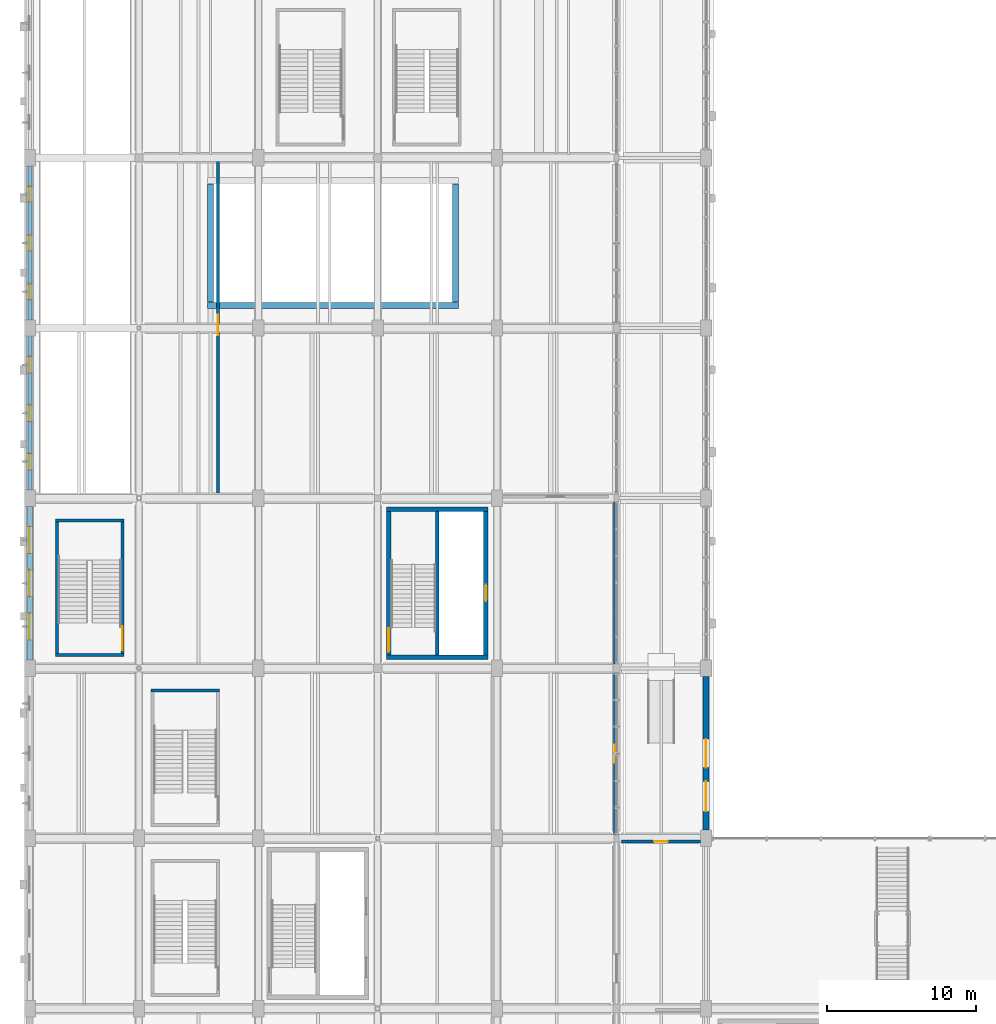
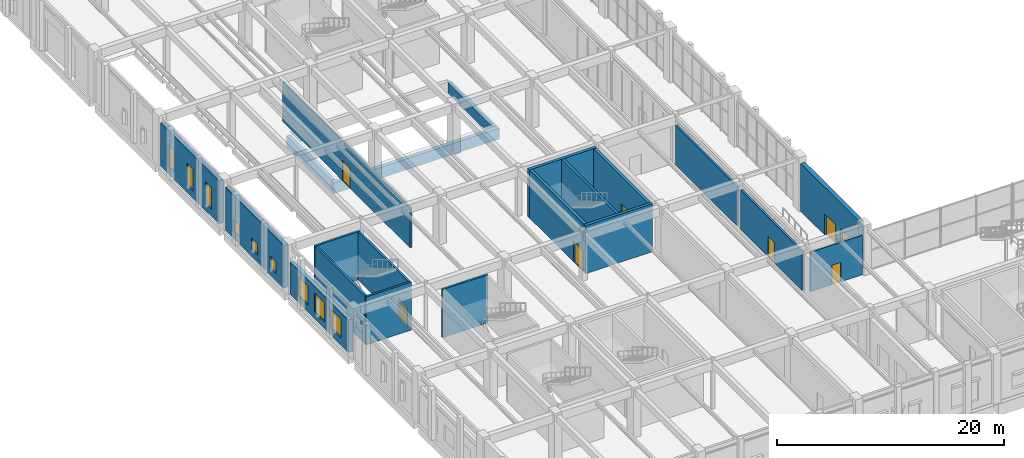
# One storey, part 84 of 113: 21 walls, 9 windows, 8 doors, 17 openings.
"""IFC4 building model written with IfcOpenShell, lengths in metres."""

from ifc_helpers import new_model, si_unit, direction, frame, frame_2d, origin, place, context, subcontext, project, spatial, rectangle, extrude, material, layer, layer_set, type_object, element, fill, save


model = new_model("IFC4")

# Units and contexts
model_context = context("Model", 3, precision=1e-05, world=origin(), true_north=direction((0.0, 1.0)))
body_context = subcontext(model_context, "Body", "Model", "MODEL_VIEW")
ifc_project = project(units=[si_unit("LENGTHUNIT", "METRE"), si_unit("AREAUNIT", "SQUARE_METRE"), si_unit("VOLUMEUNIT", "CUBIC_METRE"), si_unit("PLANEANGLEUNIT", "RADIAN"), si_unit("MASSUNIT", "GRAM", prefix="KILO"), si_unit("POWERUNIT", "WATT"), si_unit("THERMODYNAMICTEMPERATUREUNIT", "KELVIN")], contexts=[model_context])

# Site, building, storey
site_placement = place(None, origin())
site = spatial("IfcSite", under=ifc_project, at=site_placement, CompositionType="ELEMENT")
building_placement = place(site_placement, origin())
building = spatial("IfcBuilding", under=site, at=building_placement, Name="Kelmbourne Parkland Aquatics Centre", CompositionType="ELEMENT")
storey_placement = place(building_placement, origin())
storey = spatial("IfcBuildingStorey", under=building, at=storey_placement, Name="L00", CompositionType="ELEMENT", Elevation=0.0)

# Walls
ifc_material_1 = material(Name="Concrete C40/50", Category="concrete")
ifc_layer_1 = layer(ifc_material_1, 0.25)
ifc_layer_set_1 = layer_set([ifc_layer_1], Name="Concrete C40/50")
wall_type_1 = type_object("IfcWallType", Name="W-CORE-250", PredefinedType="SHEAR", material=ifc_layer_set_1)
wall_1_placement = place(storey_placement, frame((28.0, 35.89990234375, 0.0), z_axis=(0.0, 0.0, 1.0), x_axis=(0.0, 1.0, 0.0)))
element("IfcWall", 1, at=wall_1_placement, inside=storey, type_object=wall_type_1, Name="West Wing North Passenger Core divider wall (L00)", PredefinedType="SHEAR", context=body_context, shape_type="SweptSolid", body=[
    extrude(rectangle(XDim=9.60009765625, YDim=0.25, at=frame_2d((4.800048828125, 0.0))), origin(), (0.0, 0.0, 1.0), 5.159912109375),
])
ifc_layer_2 = layer(ifc_material_1, 0.300048828125)
ifc_layer_set_2 = layer_set([ifc_layer_2], Name="Concrete C40/50")
wall_type_2 = type_object("IfcWallType", Name="W-CORE-300", PredefinedType="SHEAR", material=ifc_layer_set_2)
for number, where, z_axis, x_axis, name in (
    (2, (24.60009765625, 35.75, 0.0), (0.0, 0.0, 1.0), (1.0, 0.0, 0.0), "West Wing North Passenger Core south wall (L00)"),
    (3, (24.60009765625, 45.64990234375, 0.0), (0.0, 0.0, 1.0), (1.0, 0.0, 0.0), "West Wing North Passenger Core north wall (L00)"),
):
    element("IfcWall", number, at=place(storey_placement, frame(where, z_axis=z_axis, x_axis=x_axis)), inside=storey, type_object=wall_type_2, Name=name, PredefinedType="SHEAR", context=body_context, shape_type="SweptSolid", body=[
        extrude(rectangle(XDim=6.7998046875, YDim=0.300048828125, at=frame_2d((3.39990234375, 0.0))), origin(), (0.0, 0.0, 1.0), 5.159912109375),
    ])

# Wall, opening, door
wall_2_placement = place(storey_placement, frame((24.75, 35.89990234375, 0.0), z_axis=(0.0, 0.0, 1.0), x_axis=(0.0, 1.0, 0.0)))
wall_2 = element("IfcWall", 4, at=wall_2_placement, inside=storey, type_object=wall_type_2, Name="West Wing North Passenger Core west wall (L00)", PredefinedType="SHEAR", context=body_context, shape_type="SweptSolid", body=[
    extrude(rectangle(XDim=9.60009765625, YDim=0.300048828125, at=frame_2d((4.800048828125, 0.0))), origin(), (0.0, 0.0, 1.0), 5.159912109375),
])
opening_1_placement = place(wall_2_placement, frame((0.199951171875, 0.0, 0.0)))
opening_1 = element("IfcOpeningElement", 5, at=opening_1_placement, cuts=wall_2, Name="Opening FD02", PredefinedType="OPENING", context=body_context, shape_type="SweptSolid", body=[
    extrude(rectangle(XDim=1.60009765625, YDim=2.199951171875, at=frame_2d((0.800048828125, 1.10009765625))), frame((0.0, 0.162109375, 0.0), z_axis=(0.0, -1.0, 0.0), x_axis=(1.0, 0.0, 0.0)), (0.0, 0.0, 1.0), 0.323974609375),
])
ifc_material_2 = material(Name="Marine-grade stainless steel and fire-rated hardwood doorset", Category="steel")
ifc_layer_3 = layer(ifc_material_2, 0.050048828125)
ifc_layer_set_3 = layer_set([ifc_layer_3], Name="Marine-grade stainless steel and fire-rated hardwood doorset")
door_type_1 = type_object("IfcDoorType", Name="DR-FD-160", OperationType="NOTDEFINED", PredefinedType="DOOR", material=ifc_layer_set_3)
door_1_placement = place(opening_1_placement, origin())
door_1 = element("IfcDoor", 6, at=door_1_placement, inside=storey, type_object=door_type_1, Name="Fire stair door ST02 (L00)", OperationType="DOUBLE_DOOR_SINGLE_SWING", OverallHeight=2.199951171875, OverallWidth=1.60009765625, PredefinedType="DOOR", context=body_context, shape_type="SweptSolid", body=[
    extrude(rectangle(XDim=1.60009765625, YDim=2.199951171875, at=frame_2d((0.800048828125, 1.10009765625))), frame((0.0, 0.02490234375, 0.0), z_axis=(0.0, -1.0, 0.0), x_axis=(1.0, 0.0, 0.0)), (0.0, 0.0, 1.0), 0.050048828125),
])
fill(opening_1, door_1)

wall_3_placement = place(storey_placement, frame((31.25, 35.89990234375, 0.0), z_axis=(0.0, 0.0, 1.0), x_axis=(0.0, 1.0, 0.0)))
wall_3 = element("IfcWall", 7, at=wall_3_placement, inside=storey, type_object=wall_type_2, Name="West Wing North Passenger Core east wall (L00)", PredefinedType="SHEAR", context=body_context, shape_type="SweptSolid", body=[
    extrude(rectangle(XDim=9.60009765625, YDim=0.300048828125, at=frame_2d((4.800048828125, 0.0))), origin(), (0.0, 0.0, 1.0), 5.159912109375),
])
opening_2_placement = place(wall_3_placement, frame((3.60009765625, 0.0, 0.0)))
opening_2 = element("IfcOpeningElement", 8, at=opening_2_placement, cuts=wall_3, Name="Opening LD01", PredefinedType="OPENING", context=body_context, shape_type="SweptSolid", body=[
    extrude(rectangle(XDim=1.10009765625, YDim=2.199951171875, at=frame_2d((0.550048828125, 1.10009765625))), frame((0.0, 0.162109375, 0.0), z_axis=(0.0, -1.0, 0.0), x_axis=(1.0, 0.0, 0.0)), (0.0, 0.0, 1.0), 0.323974609375),
])
ifc_layer_4 = layer(ifc_material_2, 0.050048828125)
ifc_layer_set_4 = layer_set([ifc_layer_4], Name="Marine-grade stainless steel and fire-rated hardwood doorset")
door_type_2 = type_object("IfcDoorType", Name="DR-LD-110", OperationType="NOTDEFINED", PredefinedType="DOOR", material=ifc_layer_set_4)
door_2_placement = place(opening_2_placement, origin())
door_2 = element("IfcDoor", 9, at=door_2_placement, inside=storey, type_object=door_type_2, Name="Lift landing sliding door LF03 (L00)", OperationType="SLIDING_TO_LEFT", OverallHeight=2.199951171875, OverallWidth=1.10009765625, PredefinedType="DOOR", context=body_context, shape_type="SweptSolid", body=[
    extrude(rectangle(XDim=1.10009765625, YDim=2.199951171875, at=frame_2d((0.550048828125, 1.10009765625))), frame((0.0, 0.02490234375, 0.0), z_axis=(0.0, -1.0, 0.0), x_axis=(1.0, 0.0, 0.0)), (0.0, 0.0, 1.0), 0.050048828125),
])
fill(opening_2, door_2)

# Wall, openings, windows
ifc_material_3 = material(Name="Dark manganite base-course brickwork", Category="masonry")
ifc_layer_5 = layer(ifc_material_3, 0.429931640625)
ifc_layer_set_5 = layer_set([ifc_layer_5], Name="Dark manganite base-course brickwork")
wall_type_3 = type_object("IfcWallType", Name="W-EXT-430", PredefinedType="STANDARD", material=ifc_layer_set_5)
wall_4_placement = place(storey_placement, frame((0.699951171875, 35.552001953125, 0.0), z_axis=(0.0, 0.0, 1.0), x_axis=(0.0, 1.0, 0.0)))
wall_4 = element("IfcWall", 10, at=wall_4_placement, inside=storey, type_object=wall_type_3, Name="Exterior polychrome brick wall EW-L00-004", PredefinedType="STANDARD", context=body_context, shape_type="SweptSolid", body=[
    extrude(rectangle(XDim=10.2958984375, YDim=0.429931640625, at=frame_2d((5.14794921875, 0.0))), origin(), (0.0, 0.0, 1.0), 3.485107421875),
])
opening_3_placement = place(wall_4_placement, frame((1.35009765625, 0.0, 0.75)))
opening_3 = element("IfcOpeningElement", 11, at=opening_3_placement, cuts=wall_4, Name="Opening W10", PredefinedType="OPENING", context=body_context, shape_type="SweptSolid", body=[
    extrude(rectangle(XDim=1.800048828125, YDim=2.050048828125, at=frame_2d((0.89990234375, 1.02490234375))), frame((0.0, 0.22705078125, 0.0), z_axis=(0.0, -1.0, 0.0), x_axis=(1.0, 0.0, 0.0)), (0.0, 0.0, 1.0), 0.453857421875),
])
opening_4_placement = place(wall_4_placement, frame((4.248046875, 0.0, 0.75)))
opening_4 = element("IfcOpeningElement", 12, at=opening_4_placement, cuts=wall_4, Name="Opening W10", PredefinedType="OPENING", context=body_context, shape_type="SweptSolid", body=[
    extrude(rectangle(XDim=1.800048828125, YDim=2.050048828125, at=frame_2d((0.89990234375, 1.02490234375))), frame((0.0, 0.22705078125, 0.0), z_axis=(0.0, -1.0, 0.0), x_axis=(1.0, 0.0, 0.0)), (0.0, 0.0, 1.0), 0.453857421875),
])
opening_5_placement = place(wall_4_placement, frame((7.14599609375, 0.0, 0.75)))
opening_5 = element("IfcOpeningElement", 13, at=opening_5_placement, cuts=wall_4, Name="Opening W10", PredefinedType="OPENING", context=body_context, shape_type="SweptSolid", body=[
    extrude(rectangle(XDim=1.800048828125, YDim=2.050048828125, at=frame_2d((0.89990234375, 1.02490234375))), frame((0.0, 0.22705078125, 0.0), z_axis=(0.0, -1.0, 0.0), x_axis=(1.0, 0.0, 0.0)), (0.0, 0.0, 1.0), 0.453857421875),
])
ifc_material_4 = material(Name="Thermally broken anodised aluminium window with low-e glass", Category="aluminium")
ifc_layer_6 = layer(ifc_material_4, 0.090087890625)
ifc_layer_set_6 = layer_set([ifc_layer_6], Name="Thermally broken anodised aluminium window with low-e glass")
window_type_1 = type_object("IfcWindowType", Name="WN-10", PartitioningType="DOUBLE_PANEL_VERTICAL", PredefinedType="WINDOW", material=ifc_layer_set_6)
window_1_placement = place(opening_3_placement, origin())
window_1 = element("IfcWindow", 14, at=window_1_placement, inside=storey, type_object=window_type_1, Name="Deep-reveal masonry window W10", OverallHeight=2.050048828125, OverallWidth=1.800048828125, PartitioningType="DOUBLE_PANEL_VERTICAL", PredefinedType="WINDOW", context=body_context, shape_type="SweptSolid", body=[
    extrude(rectangle(XDim=1.800048828125, YDim=2.050048828125, at=frame_2d((0.89990234375, 1.02490234375))), frame((0.0, 0.080078125, 0.0), z_axis=(0.0, -1.0, 0.0), x_axis=(1.0, 0.0, 0.0)), (0.0, 0.0, 1.0), 0.06005859375),
])
fill(opening_3, window_1)
window_2_placement = place(opening_4_placement, origin())
window_2 = element("IfcWindow", 15, at=window_2_placement, inside=storey, type_object=window_type_1, Name="Deep-reveal masonry window W10", OverallHeight=2.050048828125, OverallWidth=1.800048828125, PartitioningType="DOUBLE_PANEL_VERTICAL", PredefinedType="WINDOW", context=body_context, shape_type="SweptSolid", body=[
    extrude(rectangle(XDim=1.800048828125, YDim=2.050048828125, at=frame_2d((0.89990234375, 1.02490234375))), frame((0.0, 0.080078125, 0.0), z_axis=(0.0, -1.0, 0.0), x_axis=(1.0, 0.0, 0.0)), (0.0, 0.0, 1.0), 0.06005859375),
])
fill(opening_4, window_2)
window_3_placement = place(opening_5_placement, origin())
window_3 = element("IfcWindow", 16, at=window_3_placement, inside=storey, type_object=window_type_1, Name="Deep-reveal masonry window W10", OverallHeight=2.050048828125, OverallWidth=1.800048828125, PartitioningType="DOUBLE_PANEL_VERTICAL", PredefinedType="WINDOW", context=body_context, shape_type="SweptSolid", body=[
    extrude(rectangle(XDim=1.800048828125, YDim=2.050048828125, at=frame_2d((0.89990234375, 1.02490234375))), frame((0.0, 0.080078125, 0.0), z_axis=(0.0, -1.0, 0.0), x_axis=(1.0, 0.0, 0.0)), (0.0, 0.0, 1.0), 0.06005859375),
])
fill(opening_5, window_3)

wall_5_placement = place(storey_placement, frame((0.699951171875, 46.951904296875, 0.0), z_axis=(0.0, 0.0, 1.0), x_axis=(0.0, 1.0, 0.0)))
wall_5 = element("IfcWall", 17, at=wall_5_placement, inside=storey, type_object=wall_type_3, Name="Exterior polychrome brick wall EW-L00-005", PredefinedType="STANDARD", context=body_context, shape_type="SweptSolid", body=[
    extrude(rectangle(XDim=10.296142578125, YDim=0.429931640625, at=frame_2d((5.14794921875, 0.0))), origin(), (0.0, 0.0, 1.0), 4.612060546875),
])
opening_6_placement = place(wall_5_placement, frame((1.35009765625, 0.0, 0.75)))
opening_6 = element("IfcOpeningElement", 18, at=opening_6_placement, cuts=wall_5, Name="Opening W13", PredefinedType="OPENING", context=body_context, shape_type="SweptSolid", body=[
    extrude(rectangle(XDim=1.10009765625, YDim=1.25, at=frame_2d((0.550048828125, 0.625))), frame((0.0, 0.22705078125, 0.0), z_axis=(0.0, -1.0, 0.0), x_axis=(1.0, 0.0, 0.0)), (0.0, 0.0, 1.0), 0.453857421875),
])
opening_7_placement = place(wall_5_placement, frame((4.597900390625, 0.0, 0.75)))
opening_7 = element("IfcOpeningElement", 19, at=opening_7_placement, cuts=wall_5, Name="Opening W13", PredefinedType="OPENING", context=body_context, shape_type="SweptSolid", body=[
    extrude(rectangle(XDim=1.10009765625, YDim=1.25, at=frame_2d((0.550048828125, 0.625))), frame((0.0, 0.22705078125, 0.0), z_axis=(0.0, -1.0, 0.0), x_axis=(1.0, 0.0, 0.0)), (0.0, 0.0, 1.0), 0.453857421875),
])
opening_8_placement = place(wall_5_placement, frame((7.845947265625, 0.0, 0.75)))
opening_8 = element("IfcOpeningElement", 20, at=opening_8_placement, cuts=wall_5, Name="Opening W13", PredefinedType="OPENING", context=body_context, shape_type="SweptSolid", body=[
    extrude(rectangle(XDim=1.10009765625, YDim=1.25, at=frame_2d((0.550048828125, 0.625))), frame((0.0, 0.22705078125, 0.0), z_axis=(0.0, -1.0, 0.0), x_axis=(1.0, 0.0, 0.0)), (0.0, 0.0, 1.0), 0.453857421875),
])
ifc_layer_7 = layer(ifc_material_4, 0.090087890625)
ifc_layer_set_7 = layer_set([ifc_layer_7], Name="Thermally broken anodised aluminium window with low-e glass")
window_type_2 = type_object("IfcWindowType", Name="WN-13", PartitioningType="SINGLE_PANEL", PredefinedType="WINDOW", material=ifc_layer_set_7)
window_4_placement = place(opening_6_placement, origin())
window_4 = element("IfcWindow", 21, at=window_4_placement, inside=storey, type_object=window_type_2, Name="Deep-reveal masonry window W13", OverallHeight=1.25, OverallWidth=1.10009765625, PartitioningType="SINGLE_PANEL", PredefinedType="WINDOW", context=body_context, shape_type="SweptSolid", body=[
    extrude(rectangle(XDim=1.10009765625, YDim=1.25, at=frame_2d((0.550048828125, 0.625))), frame((0.0, 0.080078125, 0.0), z_axis=(0.0, -1.0, 0.0), x_axis=(1.0, 0.0, 0.0)), (0.0, 0.0, 1.0), 0.06005859375),
])
fill(opening_6, window_4)
window_5_placement = place(opening_7_placement, origin())
window_5 = element("IfcWindow", 22, at=window_5_placement, inside=storey, type_object=window_type_2, Name="Deep-reveal masonry window W13", OverallHeight=1.25, OverallWidth=1.10009765625, PartitioningType="SINGLE_PANEL", PredefinedType="WINDOW", context=body_context, shape_type="SweptSolid", body=[
    extrude(rectangle(XDim=1.10009765625, YDim=1.25, at=frame_2d((0.550048828125, 0.625))), frame((0.0, 0.080078125, 0.0), z_axis=(0.0, -1.0, 0.0), x_axis=(1.0, 0.0, 0.0)), (0.0, 0.0, 1.0), 0.06005859375),
])
fill(opening_7, window_5)
window_6_placement = place(opening_8_placement, origin())
window_6 = element("IfcWindow", 23, at=window_6_placement, inside=storey, type_object=window_type_2, Name="Deep-reveal masonry window W13", OverallHeight=1.25, OverallWidth=1.10009765625, PartitioningType="SINGLE_PANEL", PredefinedType="WINDOW", context=body_context, shape_type="SweptSolid", body=[
    extrude(rectangle(XDim=1.10009765625, YDim=1.25, at=frame_2d((0.550048828125, 0.625))), frame((0.0, 0.080078125, 0.0), z_axis=(0.0, -1.0, 0.0), x_axis=(1.0, 0.0, 0.0)), (0.0, 0.0, 1.0), 0.06005859375),
])
fill(opening_8, window_6)

wall_6_placement = place(storey_placement, frame((0.699951171875, 58.35205078125, 0.0), z_axis=(0.0, 0.0, 1.0), x_axis=(0.0, 1.0, 0.0)))
wall_6 = element("IfcWall", 24, at=wall_6_placement, inside=storey, type_object=wall_type_3, Name="Exterior polychrome brick wall EW-L00-006", PredefinedType="STANDARD", context=body_context, shape_type="SweptSolid", body=[
    extrude(rectangle(XDim=10.2958984375, YDim=0.429931640625, at=frame_2d((5.14794921875, 0.0))), origin(), (0.0, 0.0, 1.0), 4.612060546875),
])
opening_9_placement = place(wall_6_placement, frame((1.35009765625, 0.0, 0.75)))
opening_9 = element("IfcOpeningElement", 25, at=opening_9_placement, cuts=wall_6, Name="Opening W17", PredefinedType="OPENING", context=body_context, shape_type="SweptSolid", body=[
    extrude(rectangle(XDim=1.050048828125, YDim=2.35009765625, at=frame_2d((0.52490234375, 1.175048828125))), frame((0.0, 0.22705078125, 0.0), z_axis=(0.0, -1.0, 0.0), x_axis=(1.0, 0.0, 0.0)), (0.0, 0.0, 1.0), 0.453857421875),
])
opening_10_placement = place(wall_6_placement, frame((4.623046875, 0.0, 0.75)))
opening_10 = element("IfcOpeningElement", 26, at=opening_10_placement, cuts=wall_6, Name="Opening W17", PredefinedType="OPENING", context=body_context, shape_type="SweptSolid", body=[
    extrude(rectangle(XDim=1.050048828125, YDim=2.35009765625, at=frame_2d((0.52490234375, 1.175048828125))), frame((0.0, 0.22705078125, 0.0), z_axis=(0.0, -1.0, 0.0), x_axis=(1.0, 0.0, 0.0)), (0.0, 0.0, 1.0), 0.453857421875),
])
opening_11_placement = place(wall_6_placement, frame((7.89599609375, 0.0, 0.75)))
opening_11 = element("IfcOpeningElement", 27, at=opening_11_placement, cuts=wall_6, Name="Opening W17", PredefinedType="OPENING", context=body_context, shape_type="SweptSolid", body=[
    extrude(rectangle(XDim=1.050048828125, YDim=2.35009765625, at=frame_2d((0.52490234375, 1.175048828125))), frame((0.0, 0.22705078125, 0.0), z_axis=(0.0, -1.0, 0.0), x_axis=(1.0, 0.0, 0.0)), (0.0, 0.0, 1.0), 0.453857421875),
])
ifc_layer_8 = layer(ifc_material_4, 0.090087890625)
ifc_layer_set_8 = layer_set([ifc_layer_8], Name="Thermally broken anodised aluminium window with low-e glass")
window_type_3 = type_object("IfcWindowType", Name="WN-17", PartitioningType="SINGLE_PANEL", PredefinedType="WINDOW", material=ifc_layer_set_8)
window_7_placement = place(opening_9_placement, origin())
window_7 = element("IfcWindow", 28, at=window_7_placement, inside=storey, type_object=window_type_3, Name="Deep-reveal masonry window W17", OverallHeight=2.35009765625, OverallWidth=1.050048828125, PartitioningType="SINGLE_PANEL", PredefinedType="WINDOW", context=body_context, shape_type="SweptSolid", body=[
    extrude(rectangle(XDim=1.050048828125, YDim=2.35009765625, at=frame_2d((0.52490234375, 1.175048828125))), frame((0.0, 0.080078125, 0.0), z_axis=(0.0, -1.0, 0.0), x_axis=(1.0, 0.0, 0.0)), (0.0, 0.0, 1.0), 0.06005859375),
])
fill(opening_9, window_7)
window_8_placement = place(opening_10_placement, origin())
window_8 = element("IfcWindow", 29, at=window_8_placement, inside=storey, type_object=window_type_3, Name="Deep-reveal masonry window W17", OverallHeight=2.35009765625, OverallWidth=1.050048828125, PartitioningType="SINGLE_PANEL", PredefinedType="WINDOW", context=body_context, shape_type="SweptSolid", body=[
    extrude(rectangle(XDim=1.050048828125, YDim=2.35009765625, at=frame_2d((0.52490234375, 1.175048828125))), frame((0.0, 0.080078125, 0.0), z_axis=(0.0, -1.0, 0.0), x_axis=(1.0, 0.0, 0.0)), (0.0, 0.0, 1.0), 0.06005859375),
])
fill(opening_10, window_8)
window_9_placement = place(opening_11_placement, origin())
window_9 = element("IfcWindow", 30, at=window_9_placement, inside=storey, type_object=window_type_3, Name="Deep-reveal masonry window W17", OverallHeight=2.35009765625, OverallWidth=1.050048828125, PartitioningType="SINGLE_PANEL", PredefinedType="WINDOW", context=body_context, shape_type="SweptSolid", body=[
    extrude(rectangle(XDim=1.050048828125, YDim=2.35009765625, at=frame_2d((0.52490234375, 1.175048828125))), frame((0.0, 0.080078125, 0.0), z_axis=(0.0, -1.0, 0.0), x_axis=(1.0, 0.0, 0.0)), (0.0, 0.0, 1.0), 0.06005859375),
])
fill(opening_11, window_9)

# Wall, openings, doors
wall_7_placement = place(storey_placement, frame((46.0, 24.152099609375, 0.0), z_axis=(0.0, 0.0, 1.0), x_axis=(0.0, 1.0, 0.0)))
wall_7 = element("IfcWall", 31, at=wall_7_placement, inside=storey, type_object=wall_type_3, Name="Exterior polychrome brick wall EW-L00-030", PredefinedType="STANDARD", context=body_context, shape_type="SweptSolid", body=[
    extrude(rectangle(XDim=10.2958984375, YDim=0.429931640625, at=frame_2d((5.14794921875, 0.0))), origin(), (0.0, 0.0, 1.0), 5.14990234375),
])
opening_12_placement = place(wall_7_placement, frame((1.26513671875, 0.0, 0.0)))
opening_12 = element("IfcOpeningElement", 32, at=opening_12_placement, cuts=wall_7, Name="Opening E07", PredefinedType="OPENING", context=body_context, shape_type="SweptSolid", body=[
    extrude(rectangle(XDim=2.0, YDim=2.35009765625, at=frame_2d((1.0, 1.175048828125))), frame((0.0, 0.22705078125, 0.0), z_axis=(0.0, -1.0, 0.0), x_axis=(1.0, 0.0, 0.0)), (0.0, 0.0, 1.0), 0.453857421875),
])
opening_13_placement = place(wall_7_placement, frame((4.197998046875, 0.0, 0.0)))
opening_13 = element("IfcOpeningElement", 33, at=opening_13_placement, cuts=wall_7, Name="Opening E08", PredefinedType="OPENING", context=body_context, shape_type="SweptSolid", body=[
    extrude(rectangle(XDim=1.89990234375, YDim=2.300048828125, at=frame_2d((0.949951171875, 1.14990234375))), frame((0.0, 0.22705078125, 0.0), z_axis=(0.0, -1.0, 0.0), x_axis=(1.0, 0.0, 0.0)), (0.0, 0.0, 1.0), 0.453857421875),
])
ifc_material_5 = material(Name="Thermally broken anodised aluminium commercial door", Category="aluminium")
ifc_layer_9 = layer(ifc_material_5, 0.06005859375)
ifc_layer_set_9 = layer_set([ifc_layer_9], Name="Thermally broken anodised aluminium commercial door")
door_type_3 = type_object("IfcDoorType", Name="DR-EXT-190", OperationType="NOTDEFINED", PredefinedType="DOOR", material=ifc_layer_set_9)
door_3_placement = place(opening_13_placement, frame((1.89990234375, 0.0, 0.0), z_axis=(0.0, 0.0, 1.0), x_axis=(-1.0, 0.0, 0.0)))
door_3 = element("IfcDoor", 34, at=door_3_placement, inside=storey, type_object=door_type_3, Name="Final exit double door E08", OperationType="DOUBLE_DOOR_SINGLE_SWING", OverallHeight=2.300048828125, OverallWidth=1.89990234375, PredefinedType="DOOR", context=body_context, shape_type="SweptSolid", body=[
    extrude(rectangle(XDim=1.89990234375, YDim=2.300048828125, at=frame_2d((0.949951171875, 1.14990234375))), frame((0.0, 0.02490234375, 0.0), z_axis=(0.0, -1.0, 0.0), x_axis=(1.0, 0.0, 0.0)), (0.0, 0.0, 1.0), 0.050048828125),
])
fill(opening_13, door_3)
ifc_layer_10 = layer(ifc_material_5, 0.06005859375)
ifc_layer_set_10 = layer_set([ifc_layer_10], Name="Thermally broken anodised aluminium commercial door")
door_type_4 = type_object("IfcDoorType", Name="DR-EXT-200", OperationType="NOTDEFINED", PredefinedType="DOOR", material=ifc_layer_set_10)
door_4_placement = place(opening_12_placement, frame((2.0, 0.0, 0.0), z_axis=(0.0, 0.0, 1.0), x_axis=(-1.0, 0.0, 0.0)))
door_4 = element("IfcDoor", 35, at=door_4_placement, inside=storey, type_object=door_type_4, Name="Final exit double door E07", OperationType="DOUBLE_DOOR_SINGLE_SWING", OverallHeight=2.35009765625, OverallWidth=2.0, PredefinedType="DOOR", context=body_context, shape_type="SweptSolid", body=[
    extrude(rectangle(XDim=2.0, YDim=2.35009765625, at=frame_2d((1.0, 1.175048828125))), frame((0.0, 0.02490234375, 0.0), z_axis=(0.0, -1.0, 0.0), x_axis=(1.0, 0.0, 0.0)), (0.0, 0.0, 1.0), 0.050048828125),
])
fill(opening_12, door_4)

# Walls
ifc_material_6 = material(Name="Concrete blockwork C32/40", Category="masonry")
ifc_layer_11 = layer(ifc_material_6, 0.199951171875)
ifc_layer_set_11 = layer_set([ifc_layer_11], Name="Concrete blockwork C32/40")
wall_type_4 = type_object("IfcWallType", Name="W-FIRE-200", PredefinedType="SOLIDWALL", material=ifc_layer_set_11)
wall_8_placement = place(storey_placement, frame((8.800048828125, 33.5, 0.0), z_axis=(0.0, 0.0, 1.0), x_axis=(1.0, 0.0, 0.0)))
element("IfcWall", 36, at=wall_8_placement, inside=storey, type_object=wall_type_4, Name="West Central Park Exit Stair north enclosure (L00)", PredefinedType="SOLIDWALL", context=body_context, shape_type="SweptSolid", body=[
    extrude(rectangle(XDim=4.599853515625, YDim=0.199951171875, at=frame_2d((2.2998046875, 0.0))), origin(), (0.0, 0.0, 1.0), 5.159912109375),
])
for number, where, z_axis, x_axis, name in (
    (37, (2.39990234375, 35.89990234375, 0.0), (0.0, 0.0, 1.0), (1.0, 0.0, 0.0), "West Hydrotherapy Exit Stair south enclosure (L00)"),
    (38, (2.39990234375, 44.89990234375, 0.0), (0.0, 0.0, 1.0), (1.0, 0.0, 0.0), "West Hydrotherapy Exit Stair north enclosure (L00)"),
):
    element("IfcWall", number, at=place(storey_placement, frame(where, z_axis=z_axis, x_axis=x_axis)), inside=storey, type_object=wall_type_4, Name=name, PredefinedType="SOLIDWALL", context=body_context, shape_type="SweptSolid", body=[
        extrude(rectangle(XDim=4.60009765625, YDim=0.199951171875, at=frame_2d((2.300048828125, 0.0))), origin(), (0.0, 0.0, 1.0), 5.159912109375),
    ])
wall_9_placement = place(storey_placement, frame((2.5, 36.0, 0.0), z_axis=(0.0, 0.0, 1.0), x_axis=(0.0, 1.0, 0.0)))
element("IfcWall", 39, at=wall_9_placement, inside=storey, type_object=wall_type_4, Name="West Hydrotherapy Exit Stair west enclosure (L00)", PredefinedType="SOLIDWALL", context=body_context, shape_type="SweptSolid", body=[
    extrude(rectangle(XDim=8.800048828125, YDim=0.199951171875, at=frame_2d((4.39990234375, 0.0))), origin(), (0.0, 0.0, 1.0), 5.159912109375),
])

# Wall, opening, door
wall_10_placement = place(storey_placement, frame((6.89990234375, 36.0, 0.0), z_axis=(0.0, 0.0, 1.0), x_axis=(0.0, 1.0, 0.0)))
wall_10 = element("IfcWall", 40, at=wall_10_placement, inside=storey, type_object=wall_type_4, Name="West Hydrotherapy Exit Stair east enclosure (L00)", PredefinedType="SOLIDWALL", context=body_context, shape_type="SweptSolid", body=[
    extrude(rectangle(XDim=8.800048828125, YDim=0.199951171875, at=frame_2d((4.39990234375, 0.0))), origin(), (0.0, 0.0, 1.0), 5.159912109375),
])
opening_14_placement = place(wall_10_placement, frame((0.219970703125, 0.0, 0.0)))
opening_14 = element("IfcOpeningElement", 41, at=opening_14_placement, cuts=wall_10, Name="Opening FD02", PredefinedType="OPENING", context=body_context, shape_type="SweptSolid", body=[
    extrude(rectangle(XDim=1.60009765625, YDim=2.199951171875, at=frame_2d((0.800048828125, 1.10009765625))), frame((0.0, 0.11181640625, 0.0), z_axis=(0.0, -1.0, 0.0), x_axis=(1.0, 0.0, 0.0)), (0.0, 0.0, 1.0), 0.223876953125),
])
door_5_placement = place(opening_14_placement, frame((1.60009765625, 0.0, 0.0), z_axis=(0.0, 0.0, 1.0), x_axis=(-1.0, 0.0, 0.0)))
door_5 = element("IfcDoor", 42, at=door_5_placement, inside=storey, type_object=door_type_1, Name="Exit stair fire door ST08 (L00)", OperationType="DOUBLE_DOOR_SINGLE_SWING", OverallHeight=2.199951171875, OverallWidth=1.60009765625, PredefinedType="DOOR", context=body_context, shape_type="SweptSolid", body=[
    extrude(rectangle(XDim=1.60009765625, YDim=2.199951171875, at=frame_2d((0.800048828125, 1.10009765625))), frame((0.0, 0.02490234375, 0.0), z_axis=(0.0, -1.0, 0.0), x_axis=(1.0, 0.0, 0.0)), (0.0, 0.0, 1.0), 0.050048828125),
])
fill(opening_14, door_5)

ifc_layer_12 = layer(ifc_material_6, 0.18994140625)
ifc_layer_set_12 = layer_set([ifc_layer_12], Name="Concrete blockwork C32/40")
wall_type_5 = type_object("IfcWallType", Name="W-SOLID-190", PredefinedType="SOLIDWALL", material=ifc_layer_set_12)
wall_11_placement = place(storey_placement, frame((40.35009765625, 23.39990234375, 0.0), z_axis=(0.0, 0.0, 1.0), x_axis=(1.0, 0.0, 0.0)))
wall_11 = element("IfcWall", 43, at=wall_11_placement, inside=storey, type_object=wall_type_5, Name="Interior partition PT-L00-033", PredefinedType="SOLIDWALL", context=body_context, shape_type="SweptSolid", body=[
    extrude(rectangle(XDim=5.27294921875, YDim=0.18994140625, at=frame_2d((2.636474609375, 0.0))), origin(), (0.0, 0.0, 1.0), 4.2451171875),
])
opening_15_placement = place(wall_11_placement, frame((2.176513671875, 0.0, 0.0)))
opening_15 = element("IfcOpeningElement", 44, at=opening_15_placement, cuts=wall_11, Name="Opening ID06", PredefinedType="OPENING", context=body_context, shape_type="SweptSolid", body=[
    extrude(rectangle(XDim=0.919921875, YDim=2.10009765625, at=frame_2d((0.4599609375, 1.050048828125))), frame((0.0, 0.10693359375, 0.0), z_axis=(0.0, -1.0, 0.0), x_axis=(1.0, 0.0, 0.0)), (0.0, 0.0, 1.0), 0.2138671875),
])
ifc_material_7 = material(Name="Marine-grade stainless steel and solid-core hardwood doorset", Category="timber")
ifc_layer_13 = layer(ifc_material_7, 0.050048828125)
ifc_layer_set_13 = layer_set([ifc_layer_13], Name="Marine-grade stainless steel and solid-core hardwood doorset")
door_type_5 = type_object("IfcDoorType", Name="DR-INT-092", OperationType="NOTDEFINED", PredefinedType="DOOR", material=ifc_layer_set_13)
door_6_placement = place(opening_15_placement, origin())
door_6 = element("IfcDoor", 45, at=door_6_placement, inside=storey, type_object=door_type_5, Name="Interior door ID06 (L00-019)", OperationType="SINGLE_SWING_RIGHT", OverallHeight=2.10009765625, OverallWidth=0.919921875, PredefinedType="DOOR", context=body_context, shape_type="SweptSolid", body=[
    extrude(rectangle(XDim=0.919921875, YDim=2.10009765625, at=frame_2d((0.4599609375, 1.050048828125))), frame((0.0, 0.02490234375, 0.0), z_axis=(0.0, -1.0, 0.0), x_axis=(1.0, 0.0, 0.0)), (0.0, 0.0, 1.0), 0.050048828125),
])
fill(opening_15, door_6)

wall_12_placement = place(storey_placement, frame((39.89990234375, 23.85205078125, 0.0), z_axis=(0.0, 0.0, 1.0), x_axis=(0.0, 1.0, 0.0)))
wall_12 = element("IfcWall", 46, at=wall_12_placement, inside=storey, type_object=wall_type_5, Name="Interior partition PT-L00-038", PredefinedType="SOLIDWALL", context=body_context, shape_type="SweptSolid", body=[
    extrude(rectangle(XDim=10.845947265625, YDim=0.18994140625, at=frame_2d((5.4228515625, 0.0))), origin(), (0.0, 0.0, 1.0), 4.2451171875),
])
opening_16_placement = place(wall_12_placement, frame((4.822998046875, 0.0, 0.0)))
opening_16 = element("IfcOpeningElement", 47, at=opening_16_placement, cuts=wall_12, Name="Opening FD05", PredefinedType="OPENING", context=body_context, shape_type="SweptSolid", body=[
    extrude(rectangle(XDim=1.199951171875, YDim=2.199951171875, at=frame_2d((0.60009765625, 1.10009765625))), frame((0.0, 0.10693359375, 0.0), z_axis=(0.0, -1.0, 0.0), x_axis=(1.0, 0.0, 0.0)), (0.0, 0.0, 1.0), 0.2138671875),
])
ifc_layer_14 = layer(ifc_material_2, 0.050048828125)
ifc_layer_set_14 = layer_set([ifc_layer_14], Name="Marine-grade stainless steel and fire-rated hardwood doorset")
door_type_6 = type_object("IfcDoorType", Name="DR-FD-120", OperationType="NOTDEFINED", PredefinedType="DOOR", material=ifc_layer_set_14)
door_7_placement = place(opening_16_placement, origin())
door_7 = element("IfcDoor", 48, at=door_7_placement, inside=storey, type_object=door_type_6, Name="Interior door FD05 (L00-022)", OperationType="SINGLE_SWING_RIGHT", OverallHeight=2.199951171875, OverallWidth=1.199951171875, PredefinedType="DOOR", context=body_context, shape_type="SweptSolid", body=[
    extrude(rectangle(XDim=1.199951171875, YDim=2.199951171875, at=frame_2d((0.60009765625, 1.10009765625))), frame((0.0, 0.02490234375, 0.0), z_axis=(0.0, -1.0, 0.0), x_axis=(1.0, 0.0, 0.0)), (0.0, 0.0, 1.0), 0.050048828125),
])
fill(opening_16, door_7)

# Wall
wall_13_placement = place(storey_placement, frame((39.89990234375, 35.302001953125, 0.0), z_axis=(0.0, 0.0, 1.0), x_axis=(0.0, 1.0, 0.0)))
element("IfcWall", 49, at=wall_13_placement, inside=storey, type_object=wall_type_5, Name="Interior partition PT-L00-039", PredefinedType="SOLIDWALL", context=body_context, shape_type="SweptSolid", body=[
    extrude(rectangle(XDim=10.845947265625, YDim=0.18994140625, at=frame_2d((5.4228515625, 0.0))), origin(), (0.0, 0.0, 1.0), 4.2451171875),
])

# Wall, opening, door
wall_14_placement = place(storey_placement, frame((13.300048828125, 46.75, 0.0), z_axis=(0.0, 0.0, 1.0), x_axis=(0.0, 1.0, 0.0)))
wall_14 = element("IfcWall", 50, at=wall_14_placement, inside=storey, type_object=wall_type_5, Name="Interior partition PT-L00-047", PredefinedType="SOLIDWALL", context=body_context, shape_type="SweptSolid", body=[
    extrude(rectangle(XDim=22.5, YDim=0.18994140625, at=frame_2d((11.25, 0.0))), origin(), (0.0, 0.0, 1.0), 4.2451171875),
])
opening_17_placement = place(wall_14_placement, frame((10.574951171875, 0.0, 0.0)))
opening_17 = element("IfcOpeningElement", 51, at=opening_17_placement, cuts=wall_14, Name="Opening ID08", PredefinedType="OPENING", context=body_context, shape_type="SweptSolid", body=[
    extrude(rectangle(XDim=1.35009765625, YDim=2.199951171875, at=frame_2d((0.675048828125, 1.10009765625))), frame((0.0, 0.10693359375, 0.0), z_axis=(0.0, -1.0, 0.0), x_axis=(1.0, 0.0, 0.0)), (0.0, 0.0, 1.0), 0.2138671875),
])
ifc_layer_15 = layer(ifc_material_7, 0.050048828125)
ifc_layer_set_15 = layer_set([ifc_layer_15], Name="Marine-grade stainless steel and solid-core hardwood doorset")
door_type_7 = type_object("IfcDoorType", Name="DR-INT-135", OperationType="NOTDEFINED", PredefinedType="DOOR", material=ifc_layer_set_15)
door_8_placement = place(opening_17_placement, origin())
door_8 = element("IfcDoor", 52, at=door_8_placement, inside=storey, type_object=door_type_7, Name="Interior door ID08 (L00-026)", OperationType="DOUBLE_DOOR_SINGLE_SWING", OverallHeight=2.199951171875, OverallWidth=1.35009765625, PredefinedType="DOOR", context=body_context, shape_type="SweptSolid", body=[
    extrude(rectangle(XDim=1.35009765625, YDim=2.199951171875, at=frame_2d((0.675048828125, 1.10009765625))), frame((0.0, 0.02490234375, 0.0), z_axis=(0.0, -1.0, 0.0), x_axis=(1.0, 0.0, 0.0)), (0.0, 0.0, 1.0), 0.050048828125),
])
fill(opening_17, door_8)

# Walls
ifc_material_8 = material(Name="Waterproof concrete C50/60", Category="concrete")
ifc_layer_16 = layer(ifc_material_8, 0.39990234375)
ifc_layer_set_16 = layer_set([ifc_layer_16], Name="Waterproof concrete C50/60")
wall_type_6 = type_object("IfcWallType", Name="W-TANK-400", PredefinedType="SHEAR", material=ifc_layer_set_16)
wall_15_placement = place(storey_placement, frame((12.60009765625, 59.300048828125, -1.449951171875), z_axis=(0.0, 0.0, 1.0), x_axis=(1.0, 0.0, 0.0)))
element("IfcWall", 53, at=wall_15_placement, inside=storey, type_object=wall_type_6, Name="Clinical Hydrotherapy and Warm Recovery Pool Tank tank wall S", PredefinedType="SHEAR", context=body_context, shape_type="SweptSolid", body=[
    extrude(rectangle(XDim=16.7998046875, YDim=0.39990234375, at=frame_2d((8.39990234375, 0.0))), origin(), (0.0, 0.0, 1.0), 1.169921875),
])
for number, where, z_axis, x_axis, name in (
    (54, (12.800048828125, 59.550048828125, -1.449951171875), (0.0, 0.0, 1.0), (0.0, 1.0, 0.0), "Clinical Hydrotherapy and Warm Recovery Pool Tank tank wall W"),
    (55, (29.199951171875, 59.550048828125, -1.449951171875), (0.0, 0.0, 1.0), (0.0, 1.0, 0.0), "Clinical Hydrotherapy and Warm Recovery Pool Tank tank wall E"),
):
    element("IfcWall", number, at=place(storey_placement, frame(where, z_axis=z_axis, x_axis=x_axis)), inside=storey, type_object=wall_type_6, Name=name, PredefinedType="SHEAR", context=body_context, shape_type="SweptSolid", body=[
        extrude(rectangle(XDim=7.89990234375, YDim=0.39990234375, at=frame_2d((3.949951171875, 0.0))), origin(), (0.0, 0.0, 1.0), 1.169921875),
    ])

save(model, "model.ifc")
